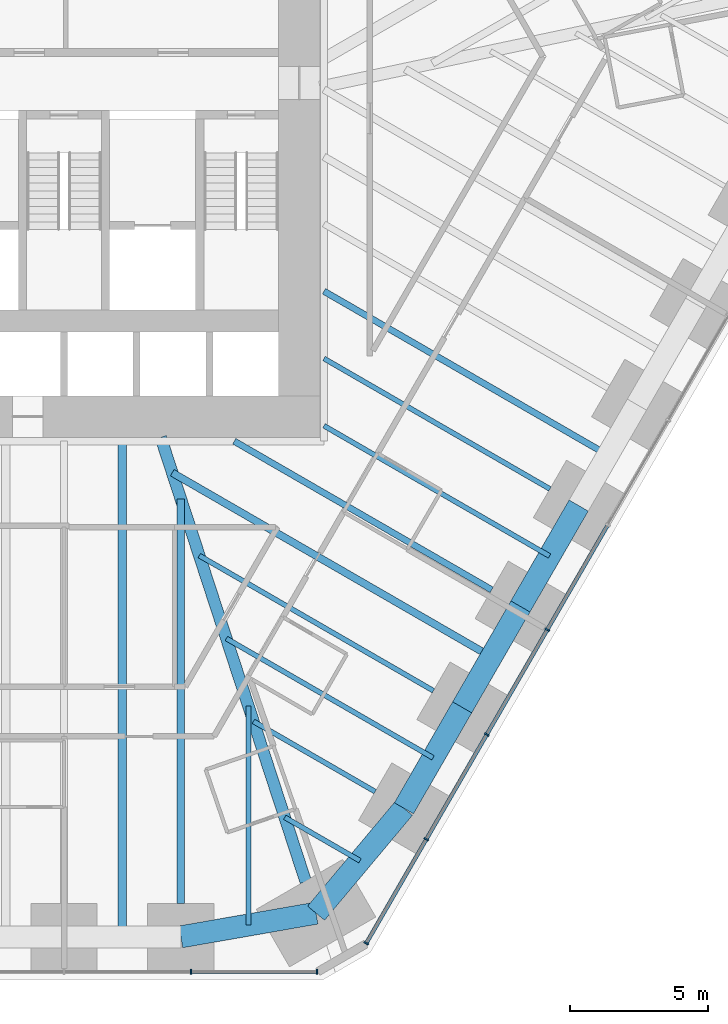
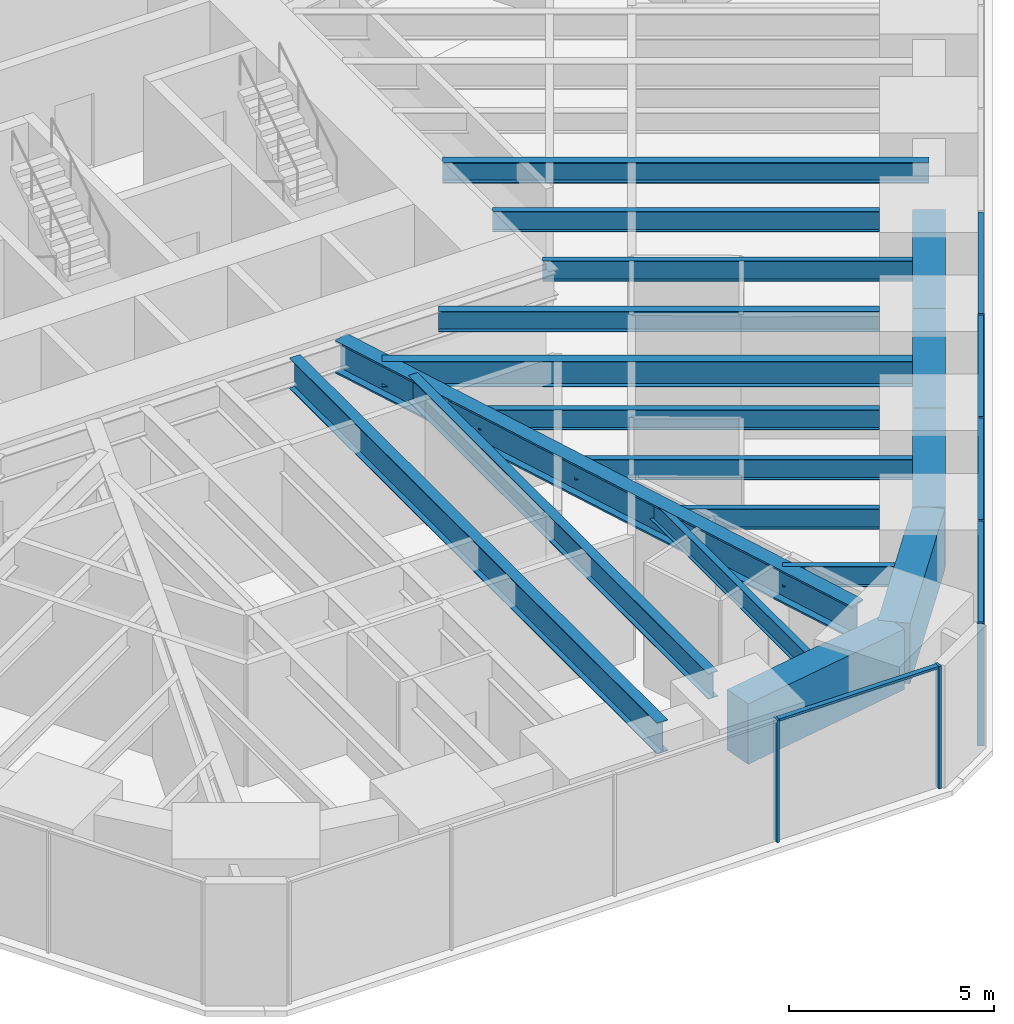
# One storey, part 5 of 17: 18 beams, 11 members, 2 elements without a shape of their own.
"""IFC4 building model written with IfcOpenShell, lengths in metres."""

from ifc_helpers import new_model, si_unit, direction, frame, origin, origin_2d, place, context, subcontext, project, spatial, rectangle, i_section, extrude, material, material_profile, profile_set, type_object, element, aggregate, save


model = new_model("IFC4")

# Units and contexts
model_context = context("Model", 3, precision=1e-05, world=origin(), true_north=direction((0.0, 1.0)))
body_context = subcontext(model_context, "Body", "Model", "MODEL_VIEW")
ifc_project = project(units=[si_unit("LENGTHUNIT", "METRE"), si_unit("AREAUNIT", "SQUARE_METRE"), si_unit("VOLUMEUNIT", "CUBIC_METRE"), si_unit("PLANEANGLEUNIT", "RADIAN"), si_unit("MASSUNIT", "GRAM", prefix="KILO")], contexts=[model_context])

# Site, building, storey
site_placement = place(None, origin())
site = spatial("IfcSite", under=ifc_project, at=site_placement, CompositionType="ELEMENT")
building_placement = place(site_placement, origin())
building = spatial("IfcBuilding", under=site, at=building_placement, Name="Sandreach Pilgrim Tower", CompositionType="ELEMENT")
storey_placement = place(building_placement, frame((0.0, 0.0, 45.800048828125)))
storey = spatial("IfcBuildingStorey", under=building, at=storey_placement, Name="L10", CompositionType="ELEMENT", Elevation=45.800048828125)

# Curtain wall, members
ifc_material_1 = material(Name="Aluminium framed curtain wall", Category="aluminium")
curtain_wall_type = type_object("IfcCurtainWallType", Name="Hostel tower curtain wall", PredefinedType="NOTDEFINED", material=ifc_material_1)
curtain_wall_1_placement = place(storey_placement, origin())
curtain_wall_1 = element("IfcCurtainWall", 1, at=curtain_wall_1_placement, inside=storey, type_object=curtain_wall_type, Name="CW-1 L10 SE", PredefinedType="NOTDEFINED")
ifc_material_2 = material(Name="Aluminium extrusion", Category="aluminium")
ifc_material_profile_1 = material_profile(ifc_material_2, rectangle(XDim=0.06494140625, YDim=0.179931640625, at=origin_2d()), Name="CW-1M 65X180")
ifc_profile_set_1 = profile_set([ifc_material_profile_1], Name="Aluminium extrusion")
member_type_1 = type_object("IfcMemberType", Name="CW-1 mullion", PredefinedType="MULLION", material=ifc_profile_set_1)
member_1_placement = place(storey_placement, frame((17.46142578125, -17.6533203125, 0.0), z_axis=(0.0, 0.0, 1.0), x_axis=(-0.5, -0.866025403784, 0.0)))
member_1 = element("IfcMember", 2, at=member_1_placement, type_object=member_type_1, Name="CW-1 mullion 7", PredefinedType="MULLION", context=body_context, shape_type="SweptSolid", body=[
    extrude(rectangle(XDim=0.06494140625, YDim=0.179931640625, at=origin_2d()), origin(), (0.0, 0.0, 1.0), 3.639892578125),
])
member_2_placement = place(storey_placement, frame((15.275634765625, -21.439208984375, 0.0), z_axis=(0.0, 0.0, 1.0), x_axis=(-0.5, -0.866025403784, 0.0)))
member_2 = element("IfcMember", 3, at=member_2_placement, type_object=member_type_1, Name="CW-1 mullion 8", PredefinedType="MULLION", context=body_context, shape_type="SweptSolid", body=[
    extrude(rectangle(XDim=0.06494140625, YDim=0.179931640625, at=origin_2d()), origin(), (0.0, 0.0, 1.0), 3.639892578125),
])
member_3_placement = place(storey_placement, frame((13.08984375, -25.22509765625, 0.0), z_axis=(0.0, 0.0, 1.0), x_axis=(-0.5, -0.866025403784, 0.0)))
member_3 = element("IfcMember", 4, at=member_3_placement, type_object=member_type_1, Name="CW-1 mullion 9", PredefinedType="MULLION", context=body_context, shape_type="SweptSolid", body=[
    extrude(rectangle(XDim=0.06494140625, YDim=0.179931640625, at=origin_2d()), origin(), (0.0, 0.0, 1.0), 3.639892578125),
])
member_4_placement = place(storey_placement, frame((10.92041015625, -28.982666015625, 0.0), z_axis=(0.0, 0.0, 1.0), x_axis=(-0.5, -0.866025403784, 0.0)))
member_4 = element("IfcMember", 5, at=member_4_placement, type_object=member_type_1, Name="CW-1 mullion 10", PredefinedType="MULLION", context=body_context, shape_type="SweptSolid", body=[
    extrude(rectangle(XDim=0.06494140625, YDim=0.179931640625, at=origin_2d()), origin(), (0.0, 0.0, 1.0), 3.639892578125),
])

curtain_wall_2_placement = place(storey_placement, origin())
curtain_wall_2 = element("IfcCurtainWall", 6, at=curtain_wall_2_placement, inside=storey, type_object=curtain_wall_type, Name="CW-1 L10 S", PredefinedType="NOTDEFINED")
member_5_placement = place(storey_placement, frame((9.1396484375, -30.010986328125, 0.0), z_axis=(0.0, 0.0, 1.0), x_axis=(-1.0, 0.0, 0.0)))
member_5 = element("IfcMember", 7, at=member_5_placement, type_object=member_type_1, Name="CW-1 mullion 1", PredefinedType="MULLION", context=body_context, shape_type="SweptSolid", body=[
    extrude(rectangle(XDim=0.06494140625, YDim=0.179931640625, at=origin_2d()), origin(), (0.0, 0.0, 1.0), 3.639892578125),
])
member_6_placement = place(storey_placement, frame((4.5859375, -30.010986328125, 0.0), z_axis=(0.0, 0.0, 1.0), x_axis=(-1.0, 0.0, 0.0)))
member_6 = element("IfcMember", 8, at=member_6_placement, type_object=member_type_1, Name="CW-1 mullion 2", PredefinedType="MULLION", context=body_context, shape_type="SweptSolid", body=[
    extrude(rectangle(XDim=0.06494140625, YDim=0.179931640625, at=origin_2d()), origin(), (0.0, 0.0, 1.0), 3.639892578125),
])

# Member
ifc_material_3 = material(Name="Aluminium extrusion", Category="aluminium")
ifc_material_profile_2 = material_profile(ifc_material_3, rectangle(XDim=0.139892578125, YDim=0.070068359375, at=origin_2d()), Name="CW-1T 140X70")
ifc_profile_set_2 = profile_set([ifc_material_profile_2], Name="Aluminium extrusion")
member_type_2 = type_object("IfcMemberType", Name="CW-1 transom", PredefinedType="USERDEFINED", material=ifc_profile_set_2)
member_7_placement = place(storey_placement, frame((19.631103515625, -13.8955078125, 3.60498046875), z_axis=(-0.500016891966, -0.866015650984, 0.0), x_axis=(0.866015650984, -0.500016891966, 0.0)))
member_7 = element("IfcMember", 9, at=member_7_placement, type_object=member_type_2, Name="CW-1 head transom 6", ObjectType="TRANSOM", PredefinedType="USERDEFINED", context=body_context, shape_type="SweptSolid", body=[
    extrude(rectangle(XDim=0.139892578125, YDim=0.070068359375, at=origin_2d()), origin(), (0.0, 0.0, 1.0), 4.306396484375),
])

member_8_placement = place(storey_placement, frame((17.4453125, -17.681396484375, 3.60498046875), z_axis=(-0.500016891966, -0.866015650984, 0.0), x_axis=(0.866015650984, -0.500016891966, 0.0)))
member_8 = element("IfcMember", 10, at=member_8_placement, type_object=member_type_2, Name="CW-1 head transom 7", ObjectType="TRANSOM", PredefinedType="USERDEFINED", context=body_context, shape_type="SweptSolid", body=[
    extrude(rectangle(XDim=0.139892578125, YDim=0.070068359375, at=origin_2d()), origin(), (0.0, 0.0, 1.0), 4.306396484375),
])

member_9_placement = place(storey_placement, frame((15.259521484375, -21.46728515625, 3.60498046875), z_axis=(-0.500016891966, -0.866015650984, 0.0), x_axis=(0.866015650984, -0.500016891966, 0.0)))
member_9 = element("IfcMember", 11, at=member_9_placement, type_object=member_type_2, Name="CW-1 head transom 8", ObjectType="TRANSOM", PredefinedType="USERDEFINED", context=body_context, shape_type="SweptSolid", body=[
    extrude(rectangle(XDim=0.139892578125, YDim=0.070068359375, at=origin_2d()), origin(), (0.0, 0.0, 1.0), 4.306396484375),
])

member_10_placement = place(storey_placement, frame((13.07373046875, -25.253173828125, 3.60498046875), z_axis=(-0.500033953635, -0.866005799756, 0.0), x_axis=(0.866005799756, -0.500033953635, 0.0)))
member_10 = element("IfcMember", 12, at=member_10_placement, type_object=member_type_2, Name="CW-1 head transom 9", ObjectType="TRANSOM", PredefinedType="USERDEFINED", context=body_context, shape_type="SweptSolid", body=[
    extrude(rectangle(XDim=0.139892578125, YDim=0.070068359375, at=origin_2d()), origin(), (0.0, 0.0, 1.0), 4.274169921875),
])

aggregate(curtain_wall_1, [member_1, member_2, member_3, member_4, member_7, member_8, member_9, member_10])

member_11_placement = place(storey_placement, frame((9.107177734375, -30.010986328125, 3.60498046875), z_axis=(-1.0, 0.0, 0.0), x_axis=(0.0, -1.0, 0.0)))
member_11 = element("IfcMember", 13, at=member_11_placement, type_object=member_type_2, Name="CW-1 head transom 1", ObjectType="TRANSOM", PredefinedType="USERDEFINED", context=body_context, shape_type="SweptSolid", body=[
    extrude(rectangle(XDim=0.139892578125, YDim=0.070068359375, at=origin_2d()), origin(), (0.0, 0.0, 1.0), 4.488525390625),
])

aggregate(curtain_wall_2, [member_5, member_6, member_11])

# Beams
ifc_material_4 = material(Name="Steel ASTM A992 Grade 50", Category="steel")
ifc_material_profile_3 = material_profile(ifc_material_4, i_section(OverallWidth=0.424072265625, OverallDepth=0.965087890625, WebThickness=0.028564453125, FlangeThickness=0.051025390625, at=origin_2d()), Name="W36X361")
ifc_profile_set_3 = profile_set([ifc_material_profile_3], Name="Steel ASTM A992 Grade 50")
beam_type_1 = type_object("IfcBeamType", Name="Corner girder W36X361", PredefinedType="BEAM", material=ifc_profile_set_3)
beam_1_placement = place(storey_placement, frame((8.73388671875, -26.756103515625, 3.157470703125), z_axis=(-0.310315410754, 0.950633654911, 0.0), x_axis=(-0.950633654911, -0.310315410754, 0.0)))
element("IfcBeam", 14, at=beam_1_placement, inside=storey, type_object=beam_type_1, Name="BM L10 CG22", PredefinedType="BEAM", context=body_context, shape_type="SweptSolid", body=[
    extrude(i_section(OverallWidth=0.424072265625, OverallDepth=0.965087890625, WebThickness=0.028564453125, FlangeThickness=0.051025390625, at=origin_2d()), origin(), (0.0, 0.0, 1.0), 16.889892578125),
])
ifc_material_5 = material(Name="Steel ASTM A992 Grade 50", Category="steel")
ifc_material_profile_4 = material_profile(ifc_material_5, i_section(OverallWidth=0.1787109375, OverallDepth=0.60205078125, WebThickness=0.010986328125, FlangeThickness=0.014892578125, at=origin_2d()), Name="W24X62")
ifc_profile_set_4 = profile_set([ifc_material_profile_4], Name="Steel ASTM A992 Grade 50")
beam_type_2 = type_object("IfcBeamType", Name="Floor beam W24X62", PredefinedType="BEAM", material=ifc_profile_set_4)
beam_2_placement = place(storey_placement, frame((17.557373046875, -12.5673828125, 3.3388671875), z_axis=(-0.866020839647, 0.500007905235, 0.0), x_axis=(-0.500007905235, -0.866020839647, 0.0)))
element("IfcBeam", 15, at=beam_2_placement, inside=storey, type_object=beam_type_2, Name="BM L10 F18", PredefinedType="BEAM", context=body_context, shape_type="SweptSolid", body=[
    extrude(i_section(OverallWidth=0.1787109375, OverallDepth=0.60205078125, WebThickness=0.010986328125, FlangeThickness=0.014892578125, at=origin_2d()), origin(), (0.0, 0.0, 1.0), 9.427001953125),
])
beam_3_placement = place(storey_placement, frame((13.347412109375, -19.859130859375, 3.3388671875), z_axis=(-0.866025751498, 0.499999397742, 0.0), x_axis=(-0.499999397742, -0.866025751498, 0.0)))
element("IfcBeam", 16, at=beam_3_placement, inside=storey, type_object=beam_type_2, Name="BM L10 F20", PredefinedType="BEAM", context=body_context, shape_type="SweptSolid", body=[
    extrude(i_section(OverallWidth=0.1787109375, OverallDepth=0.60205078125, WebThickness=0.010986328125, FlangeThickness=0.014892578125, at=origin_2d()), origin(), (0.0, 0.0, 1.0), 9.767578125),
])
beam_4_placement = place(storey_placement, frame((11.242431640625, -23.5048828125, 3.3388671875), z_axis=(-0.866027897259, 0.49999568115, 0.0), x_axis=(-0.49999568115, -0.866027897259, 0.0)))
element("IfcBeam", 17, at=beam_4_placement, inside=storey, type_object=beam_type_2, Name="BM L10 F21", PredefinedType="BEAM", context=body_context, shape_type="SweptSolid", body=[
    extrude(i_section(OverallWidth=0.1787109375, OverallDepth=0.60205078125, WebThickness=0.010986328125, FlangeThickness=0.014892578125, at=origin_2d()), origin(), (0.0, 0.0, 1.0), 5.0791015625),
])
beam_5_placement = place(storey_placement, frame((17.5439453125, -14.990234375, 3.3388671875), z_axis=(-0.86602359238, 0.500003137431, 0.0), x_axis=(-0.500003137431, -0.86602359238, 0.0)))
element("IfcBeam", 18, at=beam_5_placement, inside=storey, type_object=beam_type_2, Name="BM L10 FM18", PredefinedType="BEAM", context=body_context, shape_type="SweptSolid", body=[
    extrude(i_section(OverallWidth=0.1787109375, OverallDepth=0.60205078125, WebThickness=0.010986328125, FlangeThickness=0.014892578125, at=origin_2d()), origin(), (0.0, 0.0, 1.0), 9.41162109375),
])
beam_6_placement = place(storey_placement, frame((13.334228515625, -22.281982421875, 3.3388671875), z_axis=(-0.86602717807, 0.499996926835, 0.0), x_axis=(-0.499996926835, -0.86602717807, 0.0)))
element("IfcBeam", 19, at=beam_6_placement, inside=storey, type_object=beam_type_2, Name="BM L10 FM20", PredefinedType="BEAM", context=body_context, shape_type="SweptSolid", body=[
    extrude(i_section(OverallWidth=0.1787109375, OverallDepth=0.60205078125, WebThickness=0.010986328125, FlangeThickness=0.014892578125, at=origin_2d()), origin(), (0.0, 0.0, 1.0), 8.62353515625),
])
beam_7_placement = place(storey_placement, frame((10.694091796875, -26.0009765625, 3.3388671875), z_axis=(-0.866023718453, 0.500002919068, 0.0), x_axis=(-0.500002919068, -0.866023718453, 0.0)))
element("IfcBeam", 20, at=beam_7_placement, inside=storey, type_object=beam_type_2, Name="BM L10 FM21", PredefinedType="BEAM", context=body_context, shape_type="SweptSolid", body=[
    extrude(i_section(OverallWidth=0.1787109375, OverallDepth=0.60205078125, WebThickness=0.010986328125, FlangeThickness=0.014892578125, at=origin_2d()), origin(), (0.0, 0.0, 1.0), 3.1396484375),
])
beam_8_placement = place(storey_placement, frame((6.664306640625, -28.323974609375, 3.3388671875), z_axis=(0.0, 1.0, 0.0), x_axis=(-1.0, 0.0, 0.0)))
element("IfcBeam", 21, at=beam_8_placement, inside=storey, type_object=beam_type_2, Name="BM L10 FM22", PredefinedType="BEAM", context=body_context, shape_type="SweptSolid", body=[
    extrude(i_section(OverallWidth=0.1787109375, OverallDepth=0.60205078125, WebThickness=0.010986328125, FlangeThickness=0.014892578125, at=origin_2d()), origin(), (0.0, 0.0, 1.0), 7.907958984375),
])
ifc_material_6 = material(Name="Steel ASTM A992 Grade 50", Category="steel")
ifc_material_profile_5 = material_profile(ifc_material_6, i_section(OverallWidth=0.23046875, OverallDepth=0.6171875, WebThickness=0.01318359375, FlangeThickness=0.022216796875, at=origin_2d()), Name="W24X94")
ifc_profile_set_5 = profile_set([ifc_material_profile_5], Name="Steel ASTM A992 Grade 50")
beam_type_3 = type_object("IfcBeamType", Name="Floor beam W24X94", PredefinedType="BEAM", material=ifc_profile_set_5)
beam_9_placement = place(storey_placement, frame((15.452392578125, -16.213134765625, 3.331298828125), z_axis=(-0.866028486751, 0.499994660107, 0.0), x_axis=(-0.499994660107, -0.866028486751, 0.0)))
element("IfcBeam", 22, at=beam_9_placement, inside=storey, type_object=beam_type_3, Name="BM L10 F19", PredefinedType="BEAM", context=body_context, shape_type="SweptSolid", body=[
    extrude(i_section(OverallWidth=0.23046875, OverallDepth=0.6171875, WebThickness=0.01318359375, FlangeThickness=0.022216796875, at=origin_2d()), origin(), (0.0, 0.0, 1.0), 10.73974609375),
])
beam_10_placement = place(storey_placement, frame((19.64892578125, -11.34423828125, 3.331298828125), z_axis=(-0.866032123691, 0.4999883606, 0.0), x_axis=(-0.4999883606, -0.866032123691, 0.0)))
element("IfcBeam", 23, at=beam_10_placement, inside=storey, type_object=beam_type_3, Name="BM L10 FM17", PredefinedType="BEAM", context=body_context, shape_type="SweptSolid", body=[
    extrude(i_section(OverallWidth=0.23046875, OverallDepth=0.6171875, WebThickness=0.01318359375, FlangeThickness=0.022216796875, at=origin_2d()), origin(), (0.0, 0.0, 1.0), 11.842041015625),
])
ifc_material_7 = material(Name="Steel ASTM A992 Grade 50", Category="steel")
ifc_material_profile_6 = material_profile(ifc_material_7, i_section(OverallWidth=0.2666015625, OverallDepth=0.761962890625, WebThickness=0.014404296875, FlangeThickness=0.021484375, at=origin_2d()), Name="W30X116")
ifc_profile_set_6 = profile_set([ifc_material_profile_6], Name="Steel ASTM A992 Grade 50")
beam_type_4 = type_object("IfcBeamType", Name="Floor beam W30X116", PredefinedType="BEAM", material=ifc_profile_set_6)
beam_11_placement = place(storey_placement, frame((4.222412109375, -27.55078125, 3.259033203125), z_axis=(0.0, 1.0, 0.0), x_axis=(-1.0, 0.0, 0.0)))
element("IfcBeam", 24, at=beam_11_placement, inside=storey, type_object=beam_type_4, Name="BM L10 F23", PredefinedType="BEAM", context=body_context, shape_type="SweptSolid", body=[
    extrude(i_section(OverallWidth=0.2666015625, OverallDepth=0.761962890625, WebThickness=0.014404296875, FlangeThickness=0.021484375, at=origin_2d()), origin(), (0.0, 0.0, 1.0), 14.61572265625),
])
beam_12_placement = place(storey_placement, frame((15.43896484375, -18.63623046875, 3.259033203125), z_axis=(-0.866021271874, 0.50000715661, 0.0), x_axis=(-0.50000715661, -0.866021271874, 0.0)))
element("IfcBeam", 25, at=beam_12_placement, inside=storey, type_object=beam_type_4, Name="BM L10 FM19", PredefinedType="BEAM", context=body_context, shape_type="SweptSolid", body=[
    extrude(i_section(OverallWidth=0.2666015625, OverallDepth=0.761962890625, WebThickness=0.014404296875, FlangeThickness=0.021484375, at=origin_2d()), origin(), (0.0, 0.0, 1.0), 13.311767578125),
])
ifc_material_8 = material(Name="Steel ASTM A992 Grade 50", Category="steel")
ifc_material_profile_7 = material_profile(ifc_material_8, i_section(OverallWidth=0.3046875, OverallDepth=0.914306640625, WebThickness=0.0166015625, FlangeThickness=0.02587890625, at=origin_2d()), Name="W36X160")
ifc_profile_set_7 = profile_set([ifc_material_profile_7], Name="Steel ASTM A992 Grade 50")
beam_type_5 = type_object("IfcBeamType", Name="Floor beam W36X160", PredefinedType="BEAM", material=ifc_profile_set_7)
beam_13_placement = place(storey_placement, frame((2.111083984375, -28.7509765625, 3.182861328125), z_axis=(0.0, 1.0, 0.0), x_axis=(-1.0, 0.0, 0.0)))
element("IfcBeam", 26, at=beam_13_placement, inside=storey, type_object=beam_type_5, Name="BM L10 FM23", PredefinedType="BEAM", context=body_context, shape_type="SweptSolid", body=[
    extrude(i_section(OverallWidth=0.3046875, OverallDepth=0.914306640625, WebThickness=0.0166015625, FlangeThickness=0.02587890625, at=origin_2d()), origin(), (0.0, 0.0, 1.0), 17.90771484375),
])
ifc_material_9 = material(Name="Concrete 10000 psi", Category="concrete")
ifc_material_profile_8 = material_profile(ifc_material_9, rectangle(XDim=0.800048828125, YDim=1.800048828125, at=origin_2d()), Name="RC800X1800")
ifc_profile_set_8 = profile_set([ifc_material_profile_8], Name="Concrete 10000 psi")
beam_type_6 = type_object("IfcBeamType", Name="Spandrel beam RC800X1800", PredefinedType="SPANDREL", material=ifc_profile_set_8)
beam_14_placement = place(storey_placement, frame((18.596435546875, -13.167236328125, 2.739990234375), z_axis=(-0.499993523031, -0.866029143232, 0.0), x_axis=(0.866029143232, -0.499993523031, 0.0)))
element("IfcBeam", 27, at=beam_14_placement, inside=storey, type_object=beam_type_6, Name="BM L10 SP18", PredefinedType="SPANDREL", context=body_context, shape_type="SweptSolid", body=[
    extrude(rectangle(XDim=0.800048828125, YDim=1.800048828125, at=origin_2d()), origin(), (0.0, 0.0, 1.0), 4.2099609375),
])
beam_15_placement = place(storey_placement, frame((16.491455078125, -16.813232421875, 2.739990234375), z_axis=(-0.499975138639, -0.866039757022, 0.0), x_axis=(0.866039757022, -0.499975138639, 0.0)))
element("IfcBeam", 28, at=beam_15_placement, inside=storey, type_object=beam_type_6, Name="BM L10 SP19", PredefinedType="SPANDREL", context=body_context, shape_type="SweptSolid", body=[
    extrude(rectangle(XDim=0.800048828125, YDim=1.800048828125, at=origin_2d()), origin(), (0.0, 0.0, 1.0), 4.209716796875),
])
beam_16_placement = place(storey_placement, frame((14.38671875, -20.458984375, 2.739990234375), z_axis=(-0.499993523031, -0.866029143232, 0.0), x_axis=(0.866029143232, -0.499993523031, 0.0)))
element("IfcBeam", 29, at=beam_16_placement, inside=storey, type_object=beam_type_6, Name="BM L10 SP20", PredefinedType="SPANDREL", context=body_context, shape_type="SweptSolid", body=[
    extrude(rectangle(XDim=0.800048828125, YDim=1.800048828125, at=origin_2d()), origin(), (0.0, 0.0, 1.0), 4.2099609375),
])
beam_17_placement = place(storey_placement, frame((12.28173828125, -24.10498046875, 2.739990234375), z_axis=(-0.642008193922, -0.766697775488, 0.0), x_axis=(0.766697775488, -0.642008193922, 0.0)))
element("IfcBeam", 30, at=beam_17_placement, inside=storey, type_object=beam_type_6, Name="BM L10 SP21", PredefinedType="SPANDREL", context=body_context, shape_type="SweptSolid", body=[
    extrude(rectangle(XDim=0.800048828125, YDim=1.800048828125, at=origin_2d()), origin(), (0.0, 0.0, 1.0), 4.94580078125),
])
beam_18_placement = place(storey_placement, frame((9.1064453125, -27.89697265625, 2.739990234375), z_axis=(-0.985054495501, -0.17224297052, 0.0), x_axis=(0.17224297052, -0.985054495501, 0.0)))
element("IfcBeam", 31, at=beam_18_placement, inside=storey, type_object=beam_type_6, Name="BM L10 SP22", PredefinedType="SPANDREL", context=body_context, shape_type="SweptSolid", body=[
    extrude(rectangle(XDim=0.800048828125, YDim=1.800048828125, at=origin_2d()), origin(), (0.0, 0.0, 1.0), 4.958251953125),
])

save(model, "model.ifc")
